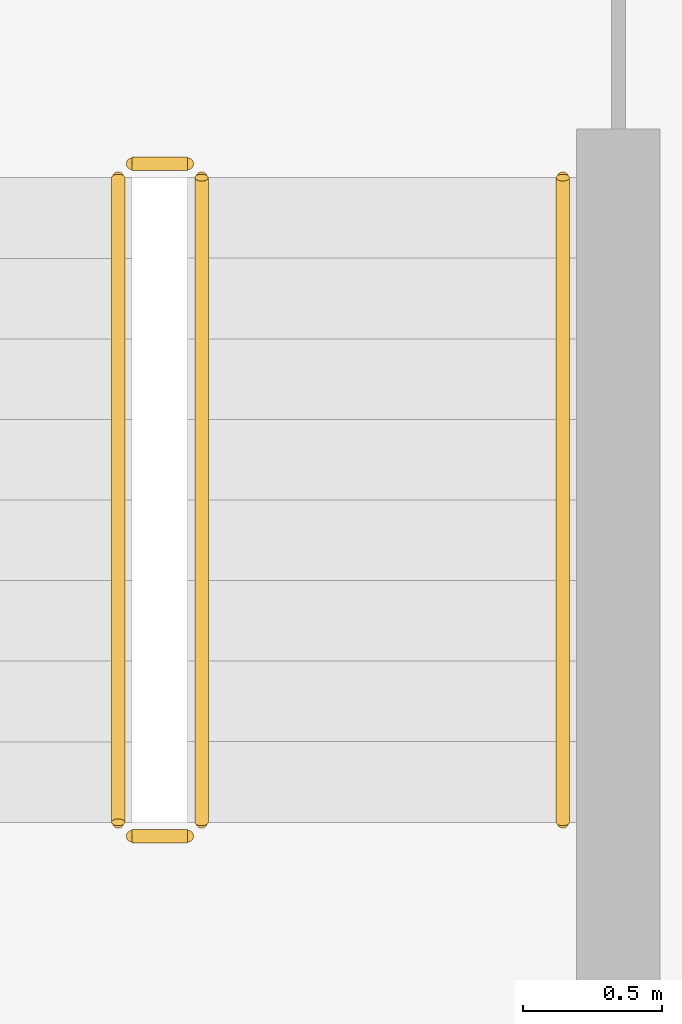
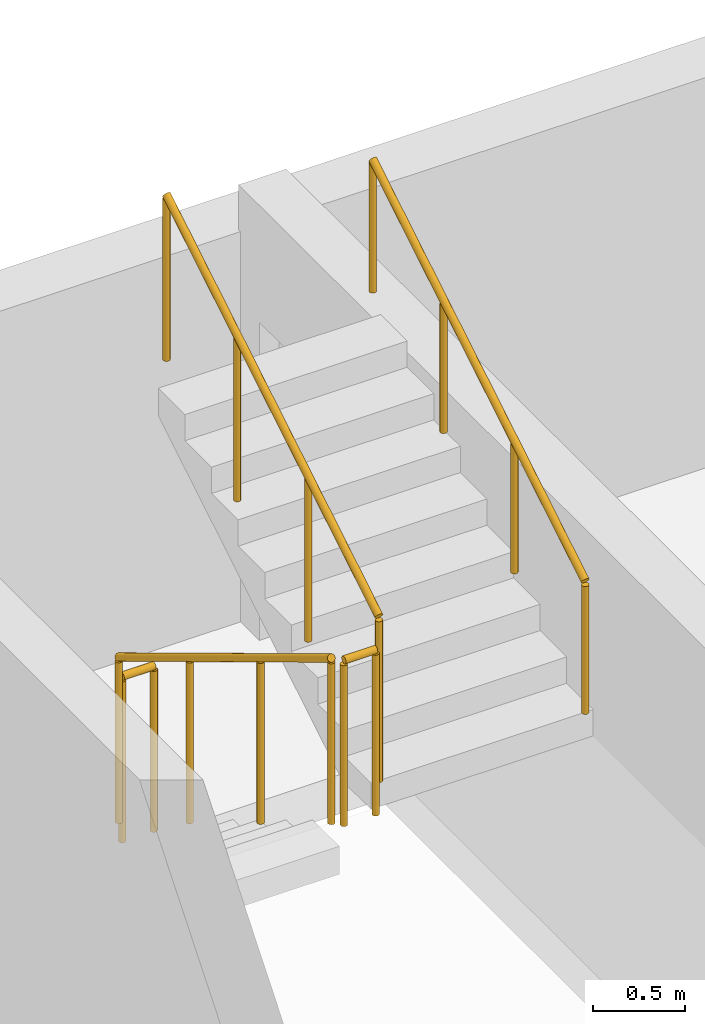
# One storey, part 28 of 29: 5 railings.
"""IFC4 building model written with IfcOpenShell, lengths in metres."""

import ifcopenshell
import ifcopenshell.guid

model = None  # the IFC model being written
_history = None  # IfcOwnerHistory: only IFC2X3 demands one
_inside = {}  # id of a spatial element -> (the spatial element, [elements in it])
_under = {}  # id of a project, library or spatial element -> (it, [spatial elements below it])
_declared = {}  # id of a project -> (the project, [libraries it declares])
_typed = {}  # id of a type object -> (the type object, [elements of that type])
_made_of = {}  # id of a material, layer set ... -> (it, [elements and type objects made of it])


def new_model(schema):
    """Start an empty IFC model of exactly this schema.

    Asked for "IFC4X3", IfcOpenShell would pick the latest addendum, in which some entities
    have other attributes; the version numbers below select the first issue.
    IFC2X3 requires an IfcOwnerHistory on every rooted entity: one is made here for all.
    """
    global model, _history
    if schema == "IFC4X3":
        model = ifcopenshell.file(schema_version=(4, 3, 0, 0))
    else:
        model = ifcopenshell.file(schema=schema)
    _inside.clear()
    _under.clear()
    _declared.clear()
    _typed.clear()
    _made_of.clear()
    _history = None
    if model.schema == "IFC2X3":
        org = make("IfcOrganization", Name="unknown")
        user = make(
            "IfcPersonAndOrganization",
            ThePerson=make("IfcPerson", FamilyName="unknown"),
            TheOrganization=org,
        )
        app = make(
            "IfcApplication",
            ApplicationDeveloper=org,
            Version="unknown",
            ApplicationFullName="unknown",
            ApplicationIdentifier="unknown",
        )
        _history = make(
            "IfcOwnerHistory",
            OwningUser=user,
            OwningApplication=app,
            ChangeAction="ADDED",
            CreationDate=0,
        )
    return model


def make(cls, **values):
    """One entity of the class cls with the attributes given. An attribute that is None is left unset."""
    return model.create_entity(
        cls, **{name: value for name, value in values.items() if value is not None}
    )


def rooted(cls, **values):
    """An entity with a GlobalId (a new one), such as an element, a storey or a relation."""
    return make(cls, GlobalId=ifcopenshell.guid.new(), OwnerHistory=_history, **values)


def si_unit(unit_type, name, prefix=None):
    """IfcSIUnit, for example si_unit("LENGTHUNIT", "METRE", prefix="MILLI")."""
    return make("IfcSIUnit", UnitType=unit_type, Prefix=prefix, Name=name)


def derived_unit(unit_type, elements):
    """IfcDerivedUnit: a product of units, each with its exponent."""
    return make(
        "IfcDerivedUnit",
        Elements=[
            make("IfcDerivedUnitElement", Unit=unit, Exponent=power)
            for unit, power in elements
        ],
        UnitType=unit_type,
    )


def assignment(units):
    """IfcUnitAssignment: the units of a project."""
    return None if units is None else make("IfcUnitAssignment", Units=units)


def point(xyz):
    """IfcCartesianPoint."""
    return None if xyz is None else make("IfcCartesianPoint", Coordinates=xyz)


def direction(xyz):
    """IfcDirection."""
    return None if xyz is None else make("IfcDirection", DirectionRatios=xyz)


def frame(location, z_axis=None, x_axis=None):
    """IfcAxis2Placement3D, a coordinate frame: its origin and axes. An axis left out is left unset."""
    return make(
        "IfcAxis2Placement3D",
        Location=point(location),
        Axis=direction(z_axis),
        RefDirection=direction(x_axis),
    )


def frame_2d(location, x_axis=None):
    """IfcAxis2Placement2D, a coordinate frame in the plane: its origin and x axis."""
    return make(
        "IfcAxis2Placement2D", Location=point(location), RefDirection=direction(x_axis)
    )


def origin():
    """The frame at (0, 0, 0) with its axes left unset."""
    return frame((0.0, 0.0, 0.0))


def origin_2d():
    """The frame at (0, 0) in the plane with its x axis left unset."""
    return frame_2d((0.0, 0.0))


def place(relative_to, where):
    """IfcLocalPlacement: puts the frame where relative to a parent placement (None: the world)."""
    return make(
        "IfcLocalPlacement", PlacementRelTo=relative_to, RelativePlacement=where
    )


def context(
    kind, dimensions, precision=None, world=None, true_north=None, identifier=None
):
    """IfcGeometricRepresentationContext, for example the 3D "Model" context."""
    return make(
        "IfcGeometricRepresentationContext",
        ContextIdentifier=identifier,
        ContextType=kind,
        CoordinateSpaceDimension=dimensions,
        Precision=precision,
        WorldCoordinateSystem=world,
        TrueNorth=true_north,
    )


def subcontext(parent, identifier, kind, view, scale=None):
    """IfcGeometricRepresentationSubContext, for example "Body" below "Model"."""
    return make(
        "IfcGeometricRepresentationSubContext",
        ContextIdentifier=identifier,
        ContextType=kind,
        ParentContext=parent,
        TargetScale=scale,
        TargetView=view,
    )


def project(units=None, contexts=None):
    """IfcProject with its units and contexts."""
    return rooted(
        "IfcProject",
        Name="project",
        RepresentationContexts=contexts,
        UnitsInContext=assignment(units),
    )


def spatial(cls, under=None, at=None, **own):
    """A site, building, storey or space (cls), placed at a placement, below another one or the project."""
    s = rooted(cls, ObjectPlacement=at, **own)
    if under is not None:
        _under.setdefault(under.id(), (under, []))[1].append(s)
    return s


def profile(cls, at=None, kind="AREA", **sizes):
    """A parametric profile (cls). Its sizes go by their IFC names, for example OverallWidth=200.0."""
    return make(cls, ProfileType=kind, Position=at, **sizes)


def circle(**sizes):
    """IfcCircleProfileDef."""
    return profile("IfcCircleProfileDef", **sizes)


def extrude(swept, where, along, depth):
    """IfcExtrudedAreaSolid: the profile swept, set in the frame where, extruded along a direction by depth."""
    return make(
        "IfcExtrudedAreaSolid",
        SweptArea=swept,
        Position=where,
        ExtrudedDirection=direction(along),
        Depth=depth,
    )


def shape(context_of_items, identifier, shape_type, items):
    """IfcShapeRepresentation: the items that make up one representation, for example the "Body"."""
    return make(
        "IfcShapeRepresentation",
        ContextOfItems=context_of_items,
        RepresentationIdentifier=identifier,
        RepresentationType=shape_type,
        Items=items,
    )


def material(Name=None, Category=None):
    """IfcMaterial."""
    return make("IfcMaterial", Name=Name, Category=Category)


def made_of(thing, what):
    """Note that an element or type object is made of a material, layer set ...; save() writes the relation."""
    if what is not None:
        _made_of.setdefault(what.id(), (what, []))[1].append(thing)
    return thing


def type_object(cls, material=None, **own):
    """A type object (cls), such as IfcWallType, which elements share."""
    return made_of(rooted(cls, **own), material)


def element(
    cls,
    number,
    at=None,
    inside=None,
    cuts=None,
    type_object=None,
    material=None,
    context=None,
    identifier="Body",
    shape_type=None,
    held_by="IfcProductDefinitionShape",
    body=None,
    shapes=None,
    **own,
):
    """One element of the class cls, such as IfcWall. Its Tag is "e" and its number.

    at: its placement. inside: the storey or other place that contains it. cuts: it is an
    opening in that element (IfcRelVoidsElement). A single representation is given by context,
    identifier, shape_type and body (its items); several are given by shapes. held_by: the class
    of the entity that holds the representations. save() writes the other relations.
    """
    e = rooted(cls, Tag="e%d" % number, ObjectPlacement=at, **own)
    if body is not None:
        shapes = [shape(context, identifier, shape_type, body)]
    if shapes is not None:
        e.Representation = make(held_by, Representations=shapes)
    if inside is not None:
        _inside.setdefault(inside.id(), (inside, []))[1].append(e)
    if cuts is not None:
        rooted(
            "IfcRelVoidsElement", RelatingBuildingElement=cuts, RelatedOpeningElement=e
        )
    if type_object is not None:
        _typed.setdefault(type_object.id(), (type_object, []))[1].append(e)
    return made_of(e, material)


def aggregate(whole, parts):
    """IfcRelAggregates: a whole, such as a stair, and the parts it consists of."""
    return rooted("IfcRelAggregates", RelatingObject=whole, RelatedObjects=parts)


def save(model, path):
    """Write the relations noted so far, then the file.

    IfcRelAggregates (storeys below a building ...), IfcRelContainedInSpatialStructure (elements
    in a storey), IfcRelDefinesByType, IfcRelAssociatesMaterial and IfcRelDeclares: one each for
    every whole, place, type object, material and project.
    """
    for whole, parts in _under.values():
        aggregate(whole, parts)
    for where, things in _inside.values():
        rooted(
            "IfcRelContainedInSpatialStructure",
            RelatedElements=things,
            RelatingStructure=where,
        )
    for kind, things in _typed.values():
        rooted("IfcRelDefinesByType", RelatedObjects=things, RelatingType=kind)
    for what, things in _made_of.values():
        rooted("IfcRelAssociatesMaterial", RelatedObjects=things, RelatingMaterial=what)
    for by, libraries in _declared.values():
        rooted("IfcRelDeclares", RelatingContext=by, RelatedDefinitions=libraries)
    model.write(path)


model = new_model("IFC4")

# Units and contexts
model_context = context("Model", 3, precision=1e-05, world=origin(), true_north=direction((0.0, 1.0)))
body_context = subcontext(model_context, "Body", "Model", "MODEL_VIEW")
ifc_project = project(units=[si_unit("LENGTHUNIT", "METRE"), si_unit("AREAUNIT", "SQUARE_METRE"), si_unit("VOLUMEUNIT", "CUBIC_METRE"), si_unit("PLANEANGLEUNIT", "RADIAN"), si_unit("MASSUNIT", "GRAM", prefix="KILO"), derived_unit("THERMALTRANSMITTANCEUNIT", [(si_unit("MASSUNIT", "GRAM", prefix="KILO"), 1), (si_unit("TIMEUNIT", "SECOND"), -3), (si_unit("THERMODYNAMICTEMPERATUREUNIT", "KELVIN"), -1)])], contexts=[model_context])

# Site, building, storey
site_placement = place(None, origin())
site = spatial("IfcSite", under=ifc_project, at=site_placement, CompositionType="ELEMENT")
building_placement = place(site_placement, origin())
building = spatial("IfcBuilding", under=site, at=building_placement, Name="Ochrekiln Boulevard Commons", CompositionType="ELEMENT")
storey_placement = place(building_placement, frame((0.0, 0.0, 37.27490234375)))
storey = spatial("IfcBuildingStorey", under=building, at=storey_placement, Name="L11", CompositionType="ELEMENT", Elevation=37.27490234375)

# Railings
ifc_material = material(Name="Brushed stainless steel 316 tubular railing", Category="steel")
railing_type_1 = type_object("IfcRailingType", Name="RLG-HDR-900", PredefinedType="HANDRAIL", material=ifc_material)
railing_1_placement = place(storey_placement, frame((160.550048828125, 114.610107421875, 1.75)))
element("IfcRailing", 1, at=railing_1_placement, inside=storey, type_object=railing_type_1, Name="L11 ST-B2 stair handrail 2", PredefinedType="HANDRAIL", context=body_context, shape_type="SweptSolid", body=[
    extrude(circle(Radius=0.02392578125, at=origin_2d()), frame((0.0, 0.0, 0.8759765625), z_axis=(0.0, 0.856146426353, 0.516733293531), x_axis=(-1.0, 0.0, 0.0)), (0.0, 0.0, 1.0), 2.709716796875),
    extrude(circle(Radius=0.02099609375, at=origin_2d()), origin(), (0.0, 0.0, 1.0), 0.851806640625),
    extrude(circle(Radius=0.02099609375, at=origin_2d()), frame((0.0, 0.773193359375, 0.466796875)), (0.0, 0.0, 1.0), 0.851806640625),
    extrude(circle(Radius=0.02099609375, at=origin_2d()), frame((0.0, 1.546630859375, 0.933349609375)), (0.0, 0.0, 1.0), 0.851806640625),
    extrude(circle(Radius=0.02099609375, at=origin_2d()), frame((0.0, 2.31982421875, 1.400146484375)), (0.0, 0.0, 1.0), 0.851806640625),
])
railing_type_2 = type_object("IfcRailingType", Name="RLG-STR-1120", PredefinedType="BALUSTRADE", material=ifc_material)
railing_2_placement = place(storey_placement, frame((158.949951171875, 116.929931640625, 0.175048828125)))
element("IfcRailing", 2, at=railing_2_placement, inside=storey, type_object=railing_type_2, Name="L11 ST-B2 stair guard 1", PredefinedType="BALUSTRADE", context=body_context, shape_type="SweptSolid", body=[
    extrude(circle(Radius=0.02392578125, at=origin_2d()), frame((0.0, 0.0, 1.09619140625), z_axis=(0.0, -0.856146426353, 0.516733293531), x_axis=(1.0, 0.0, 0.0)), (0.0, 0.0, 1.0), 2.709716796875),
    extrude(circle(Radius=0.02099609375, at=origin_2d()), origin(), (0.0, 0.0, 1.0), 1.072021484375),
    extrude(circle(Radius=0.02099609375, at=origin_2d()), frame((0.0, -0.773193359375, 0.466796875)), (0.0, 0.0, 1.0), 1.072021484375),
    extrude(circle(Radius=0.02099609375, at=origin_2d()), frame((0.0, -1.546630859375, 0.933349609375)), (0.0, 0.0, 1.0), 1.072021484375),
    extrude(circle(Radius=0.02099609375, at=origin_2d()), frame((0.0, -2.31982421875, 1.400146484375)), (0.0, 0.0, 1.0), 1.072021484375),
])
railing_3_placement = place(storey_placement, frame((159.0, 114.56005859375, 1.5751953125)))
element("IfcRailing", 3, at=railing_3_placement, inside=storey, type_object=railing_type_2, Name="L11 ST-B2 stair guard 2", PredefinedType="BALUSTRADE", context=body_context, shape_type="SweptSolid", body=[
    extrude(circle(Radius=0.02392578125, at=origin_2d()), frame((0.0, 0.0, 1.09619140625), z_axis=(1.0, 0.0, 0.0), x_axis=(0.0, 1.0, 0.0)), (0.0, 0.0, 1.0), 0.199951171875),
    extrude(circle(Radius=0.02099609375, at=origin_2d()), origin(), (0.0, 0.0, 1.0), 1.072021484375),
    extrude(circle(Radius=0.02099609375, at=origin_2d()), frame((0.199951171875, 0.0, 0.0)), (0.0, 0.0, 1.0), 1.072021484375),
])
railing_4_placement = place(storey_placement, frame((159.25, 114.610107421875, 1.75)))
element("IfcRailing", 4, at=railing_4_placement, inside=storey, type_object=railing_type_2, Name="L11 ST-B2 stair guard 3", PredefinedType="BALUSTRADE", context=body_context, shape_type="SweptSolid", body=[
    extrude(circle(Radius=0.02392578125, at=origin_2d()), frame((0.0, 0.0, 1.09619140625), z_axis=(0.0, 0.856146426353, 0.516733293531), x_axis=(-1.0, 0.0, 0.0)), (0.0, 0.0, 1.0), 2.709716796875),
    extrude(circle(Radius=0.02099609375, at=origin_2d()), origin(), (0.0, 0.0, 1.0), 1.072021484375),
    extrude(circle(Radius=0.02099609375, at=origin_2d()), frame((0.0, 0.773193359375, 0.466796875)), (0.0, 0.0, 1.0), 1.072021484375),
    extrude(circle(Radius=0.02099609375, at=origin_2d()), frame((0.0, 1.546630859375, 0.933349609375)), (0.0, 0.0, 1.0), 1.072021484375),
    extrude(circle(Radius=0.02099609375, at=origin_2d()), frame((0.0, 2.31982421875, 1.400146484375)), (0.0, 0.0, 1.0), 1.072021484375),
])
railing_5_placement = place(storey_placement, frame((159.0, 116.97998046875, 0.0)))
element("IfcRailing", 5, at=railing_5_placement, inside=storey, type_object=railing_type_2, Name="L11 ST-B2 stair guard 4", PredefinedType="BALUSTRADE", context=body_context, shape_type="SweptSolid", body=[
    extrude(circle(Radius=0.02392578125, at=origin_2d()), frame((0.0, 0.0, 1.09619140625), z_axis=(1.0, 0.0, 0.0), x_axis=(0.0, 1.0, 0.0)), (0.0, 0.0, 1.0), 0.199951171875),
    extrude(circle(Radius=0.02099609375, at=origin_2d()), origin(), (0.0, 0.0, 1.0), 1.072021484375),
    extrude(circle(Radius=0.02099609375, at=origin_2d()), frame((0.199951171875, 0.0, 0.0)), (0.0, 0.0, 1.0), 1.072021484375),
])

save(model, "model.ifc")
